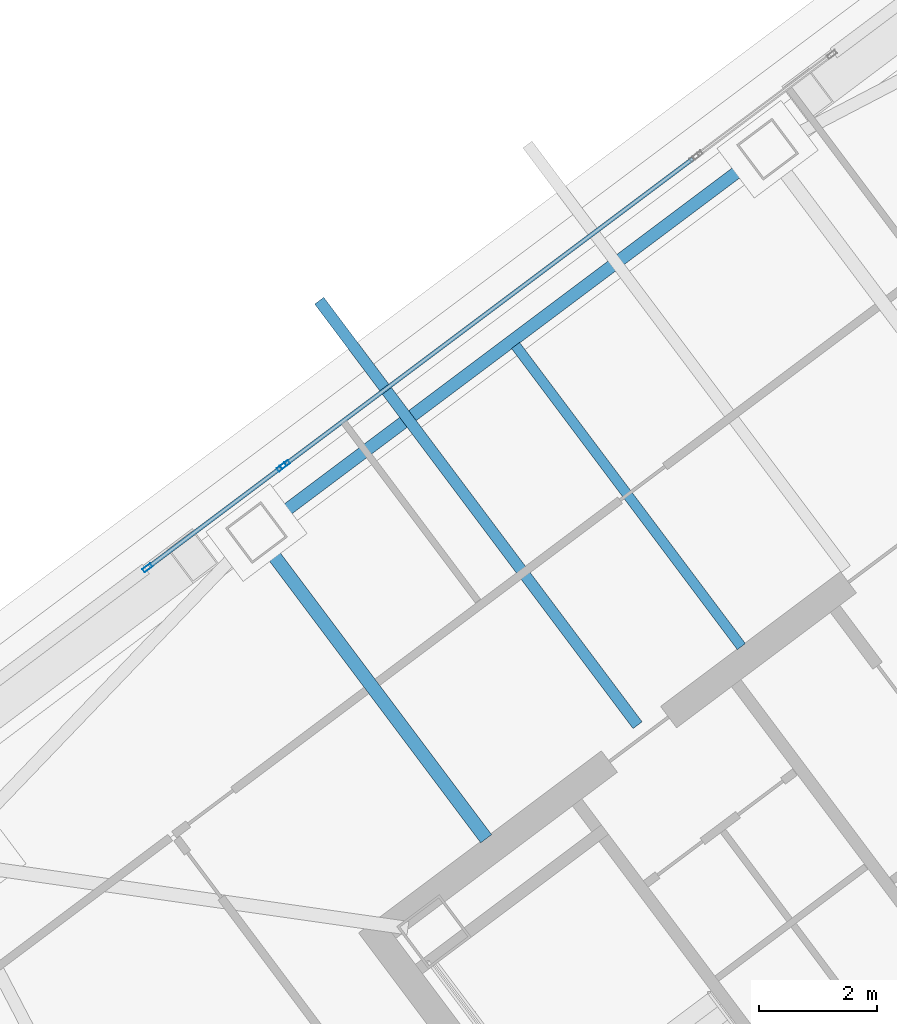
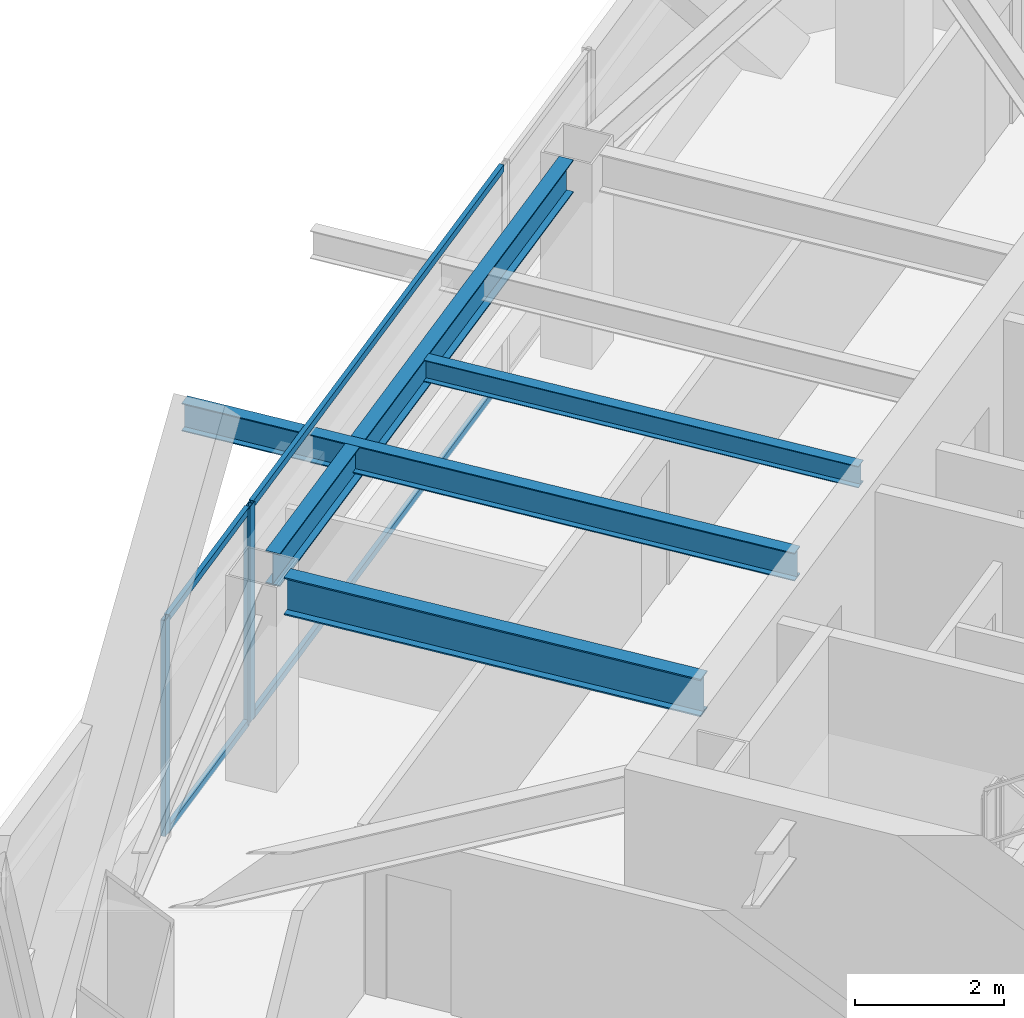
# One storey, part 20 of 39: 7 members, 4 beams, 2 elements without a shape of their own.
"""IFC4 building model written with IfcOpenShell, lengths in metres."""

from ifc_helpers import new_model, si_unit, direction, frame, origin, origin_2d, place, context, subcontext, project, spatial, hollow_rectangle, i_section, extrude, material, material_profile, profile_set, type_object, element, aggregate, save


model = new_model("IFC4")

# Units and contexts
model_context = context("Model", 3, precision=1e-05, world=origin(), true_north=direction((0.0, 1.0)))
body_context = subcontext(model_context, "Body", "Model", "MODEL_VIEW")
ifc_project = project(units=[si_unit("LENGTHUNIT", "METRE"), si_unit("AREAUNIT", "SQUARE_METRE"), si_unit("VOLUMEUNIT", "CUBIC_METRE"), si_unit("PLANEANGLEUNIT", "RADIAN"), si_unit("MASSUNIT", "GRAM", prefix="KILO")], contexts=[model_context])

# Site, building, storey
site_placement = place(None, origin())
site = spatial("IfcSite", under=ifc_project, at=site_placement, CompositionType="ELEMENT")
building_placement = place(site_placement, origin())
building = spatial("IfcBuilding", under=site, at=building_placement, Name="Tashvorn Skyway Center", CompositionType="ELEMENT")
storey_placement = place(building_placement, frame((0.0, 0.0, 232.60009765625)))
storey = spatial("IfcBuildingStorey", under=building, at=storey_placement, Name="L63", CompositionType="ELEMENT", Elevation=232.60009765625)

# Beams
ifc_material_1 = material(Name="Steel ASTM A992 Grade 50", Category="steel")
ifc_material_profile_1 = material_profile(ifc_material_1, i_section(OverallWidth=0.22998046875, OverallDepth=0.616943359375, WebThickness=0.01318359375, FlangeThickness=0.022216796875, at=origin_2d()), Name="W24X94")
ifc_profile_set_1 = profile_set([ifc_material_profile_1], Name="Steel ASTM A992 Grade 50")
beam_type_1 = type_object("IfcBeamType", Name="BM-BEAM-W24X94", PredefinedType="BEAM", material=ifc_profile_set_1)
beam_1_placement = place(storey_placement, frame((101.35205078125, 39.864013671875, 3.0615234375), z_axis=(0.599980788915, -0.800014407953, 0.0), x_axis=(0.800014407953, 0.599980788915, 0.0)))
element("IfcBeam", 1, at=beam_1_placement, inside=storey, type_object=beam_type_1, Name="Tower 2 L63 Primary Floor Girder FC-N2", PredefinedType="BEAM", context=body_context, shape_type="SweptSolid", body=[
    extrude(i_section(OverallWidth=0.22998046875, OverallDepth=0.616943359375, WebThickness=0.01318359375, FlangeThickness=0.022216796875, at=origin_2d()), origin(), (0.0, 0.0, 1.0), 6.10009765625),
])
ifc_material_profile_2 = material_profile(ifc_material_1, i_section(OverallWidth=0.1708984375, OverallDepth=0.35498046875, WebThickness=0.007080078125, FlangeThickness=0.01171875, at=origin_2d()), Name="W14X34")
ifc_profile_set_2 = profile_set([ifc_material_profile_2], Name="Steel ASTM A992 Grade 50")
beam_type_2 = type_object("IfcBeamType", Name="BM-JOIST-W14X34", PredefinedType="JOIST", material=ifc_profile_set_2)
beam_2_placement = place(storey_placement, frame((109.325927734375, 38.23193359375, 3.1923828125), z_axis=(-0.599981581373, 0.800013813639, 0.0), x_axis=(-0.800013813639, -0.599981581373, 0.0)))
element("IfcBeam", 2, at=beam_2_placement, inside=storey, type_object=beam_type_2, Name="Tower 2 L63 Secondary Composite Joist JN", PredefinedType="JOIST", context=body_context, shape_type="SweptSolid", body=[
    extrude(i_section(OverallWidth=0.1708984375, OverallDepth=0.35498046875, WebThickness=0.007080078125, FlangeThickness=0.01171875, at=origin_2d()), origin(), (0.0, 0.0, 1.0), 6.362548828125),
])
ifc_material_profile_3 = material_profile(ifc_material_1, i_section(OverallWidth=0.19091796875, OverallDepth=0.4599609375, WebThickness=0.010009765625, FlangeThickness=0.01611328125, at=origin_2d()), Name="W18X55")
ifc_profile_set_3 = profile_set([ifc_material_profile_3], Name="Steel ASTM A992 Grade 50")
beam_type_3 = type_object("IfcBeamType", Name="BM-JOIST-W18X55", PredefinedType="JOIST", material=ifc_profile_set_3)
beam_3_placement = place(storey_placement, frame((107.572021484375, 36.904052734375, 3.139892578125), z_axis=(-0.600004354752, 0.799996733918, 0.0), x_axis=(-0.799996733918, -0.600004354752, 0.0)))
element("IfcBeam", 3, at=beam_3_placement, inside=storey, type_object=beam_type_3, Name="Tower 2 L64 Terrace Cantilever Outlooker 1", PredefinedType="JOIST", context=body_context, shape_type="SweptSolid", body=[
    extrude(i_section(OverallWidth=0.19091796875, OverallDepth=0.4599609375, WebThickness=0.010009765625, FlangeThickness=0.01611328125, at=origin_2d()), origin(), (0.0, 0.0, 1.0), 8.969970703125),
])
ifc_material_profile_4 = material_profile(ifc_material_1, i_section(OverallWidth=0.2109375, OverallDepth=0.5390625, WebThickness=0.01171875, FlangeThickness=0.018798828125, at=origin_2d()), Name="W21X73")
ifc_profile_set_4 = profile_set([ifc_material_profile_4], Name="Steel ASTM A992 Grade 50")
beam_type_4 = type_object("IfcBeamType", Name="BM-SPANDREL-W21X73", PredefinedType="SPANDREL", material=ifc_profile_set_4)
beam_4_placement = place(storey_placement, frame((109.47412109375, 46.41796875, 3.100341796875), z_axis=(-0.800008736549, -0.599988351091, 0.0), x_axis=(0.599988351091, -0.800008736549, 0.0)))
element("IfcBeam", 4, at=beam_4_placement, inside=storey, type_object=beam_type_4, Name="Tower 2 L63 Spandrel Beam 08", PredefinedType="SPANDREL", context=body_context, shape_type="SweptSolid", body=[
    extrude(i_section(OverallWidth=0.2109375, OverallDepth=0.5390625, WebThickness=0.01171875, FlangeThickness=0.018798828125, at=origin_2d()), origin(), (0.0, 0.0, 1.0), 10.06005859375),
])

# Curtain wall, members
ifc_material_2 = material(Name="Thermally broken bronze-anodized aluminium 6063-T6", Category="aluminium")
curtain_wall_type = type_object("IfcCurtainWallType", Name="CW-CW-Z5", PredefinedType="NOTDEFINED", material=ifc_material_2)
curtain_wall_1_placement = place(storey_placement, origin())
curtain_wall_1 = element("IfcCurtainWall", 5, at=curtain_wall_1_placement, inside=storey, type_object=curtain_wall_type, Name="Tower 2 L63 North Unitised Curtain Wall Glazing Group 1", PredefinedType="NOTDEFINED")
ifc_material_profile_5 = material_profile(ifc_material_2, hollow_rectangle(XDim=0.070068359375, YDim=0.1650390625, WallThickness=0.00390625, at=origin_2d()), Name="ALU-MULL-70x165")
ifc_profile_set_5 = profile_set([ifc_material_profile_5], Name="Thermally broken bronze-anodized aluminium 6063-T6")
member_type_1 = type_object("IfcMemberType", Name="CWM-CW-Z5", PredefinedType="MULLION", material=ifc_profile_set_5)
member_1_placement = place(storey_placement, frame((99.28662109375, 39.56494140625, 0.0), z_axis=(0.0, 0.0, 1.0), x_axis=(-0.600005504617, 0.799995871508, 0.0)))
member_1 = element("IfcMember", 6, at=member_1_placement, type_object=member_type_1, Name="CW-Z5 mullion 1", PredefinedType="MULLION", context=body_context, shape_type="SweptSolid", body=[
    extrude(hollow_rectangle(XDim=0.070068359375, YDim=0.1650390625, WallThickness=0.00390625, at=origin_2d()), origin(), (0.0, 0.0, 1.0), 3.5498046875),
])
member_2_placement = place(storey_placement, frame((101.555908203125, 41.26708984375, 0.0), z_axis=(0.0, 0.0, 1.0), x_axis=(-0.600005504617, 0.799995871508, 0.0)))
member_2 = element("IfcMember", 7, at=member_2_placement, type_object=member_type_1, Name="CW-Z5 mullion 2", PredefinedType="MULLION", context=body_context, shape_type="SweptSolid", body=[
    extrude(hollow_rectangle(XDim=0.070068359375, YDim=0.1650390625, WallThickness=0.00390625, at=origin_2d()), origin(), (0.0, 0.0, 1.0), 3.5498046875),
])

# Curtain wall, member
curtain_wall_2_placement = place(storey_placement, origin())
curtain_wall_2 = element("IfcCurtainWall", 8, at=curtain_wall_2_placement, inside=storey, type_object=curtain_wall_type, Name="Tower 2 L63 North Unitised Curtain Wall Glazing Group 2", PredefinedType="NOTDEFINED")
member_3_placement = place(storey_placement, frame((101.612060546875, 41.30908203125, 0.0), z_axis=(0.0, 0.0, 1.0), x_axis=(-0.600000000002, 0.799999999998, 0.0)))
member_3 = element("IfcMember", 9, at=member_3_placement, type_object=member_type_1, Name="CW-Z5 mullion 1", PredefinedType="MULLION", context=body_context, shape_type="SweptSolid", body=[
    extrude(hollow_rectangle(XDim=0.070068359375, YDim=0.1650390625, WallThickness=0.00390625, at=origin_2d()), origin(), (0.0, 0.0, 1.0), 3.5498046875),
])

# Member
ifc_material_profile_6 = material_profile(ifc_material_2, hollow_rectangle(XDim=0.070068359375, YDim=0.114990234375, WallThickness=0.00390625, at=origin_2d()), Name="ALU-TRAN-70x115")
ifc_profile_set_6 = profile_set([ifc_material_profile_6], Name="Thermally broken bronze-anodized aluminium 6063-T6")
member_type_2 = type_object("IfcMemberType", Name="CWT-CW-Z5", PredefinedType="USERDEFINED", material=ifc_profile_set_6)
member_4_placement = place(storey_placement, frame((99.314697265625, 39.5859375, 0.034912109375), z_axis=(0.799978822035, 0.600028236249, 0.0), x_axis=(-0.600028236249, 0.799978822035, 0.0)))
member_4 = element("IfcMember", 10, at=member_4_placement, type_object=member_type_2, Name="CW-Z5 transom 1.1", ObjectType="TRANSOM", PredefinedType="USERDEFINED", context=body_context, shape_type="SweptSolid", body=[
    extrude(hollow_rectangle(XDim=0.070068359375, YDim=0.114990234375, WallThickness=0.00390625, at=origin_2d()), origin(), (0.0, 0.0, 1.0), 2.766845703125),
])

member_5_placement = place(storey_placement, frame((99.314697265625, 39.5859375, 3.514892578125), z_axis=(0.799978822035, 0.600028236249, 0.0), x_axis=(-0.600028236249, 0.799978822035, 0.0)))
member_5 = element("IfcMember", 11, at=member_5_placement, type_object=member_type_2, Name="CW-Z5 transom 1.2", ObjectType="TRANSOM", PredefinedType="USERDEFINED", context=body_context, shape_type="SweptSolid", body=[
    extrude(hollow_rectangle(XDim=0.070068359375, YDim=0.114990234375, WallThickness=0.00390625, at=origin_2d()), origin(), (0.0, 0.0, 1.0), 2.766845703125),
])

aggregate(curtain_wall_1, [member_1, member_2, member_4, member_5])

member_6_placement = place(storey_placement, frame((101.639892578125, 41.330078125, 0.034912109375), z_axis=(0.800003414549, 0.599995447241, 0.0), x_axis=(-0.599995447241, 0.800003414549, 0.0)))
member_6 = element("IfcMember", 12, at=member_6_placement, type_object=member_type_2, Name="CW-Z5 transom 1.1", ObjectType="TRANSOM", PredefinedType="USERDEFINED", context=body_context, shape_type="SweptSolid", body=[
    extrude(hollow_rectangle(XDim=0.070068359375, YDim=0.114990234375, WallThickness=0.00390625, at=origin_2d()), origin(), (0.0, 0.0, 1.0), 8.580078125),
])

member_7_placement = place(storey_placement, frame((101.639892578125, 41.330078125, 3.514892578125), z_axis=(0.800003414549, 0.599995447241, 0.0), x_axis=(-0.599995447241, 0.800003414549, 0.0)))
member_7 = element("IfcMember", 13, at=member_7_placement, type_object=member_type_2, Name="CW-Z5 transom 1.2", ObjectType="TRANSOM", PredefinedType="USERDEFINED", context=body_context, shape_type="SweptSolid", body=[
    extrude(hollow_rectangle(XDim=0.070068359375, YDim=0.114990234375, WallThickness=0.00390625, at=origin_2d()), origin(), (0.0, 0.0, 1.0), 8.580078125),
])

aggregate(curtain_wall_2, [member_3, member_6, member_7])

save(model, "model.ifc")
